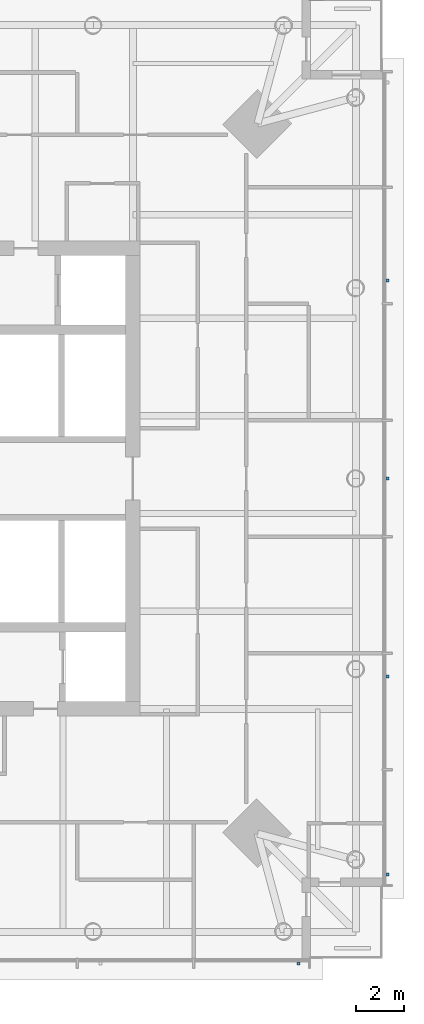
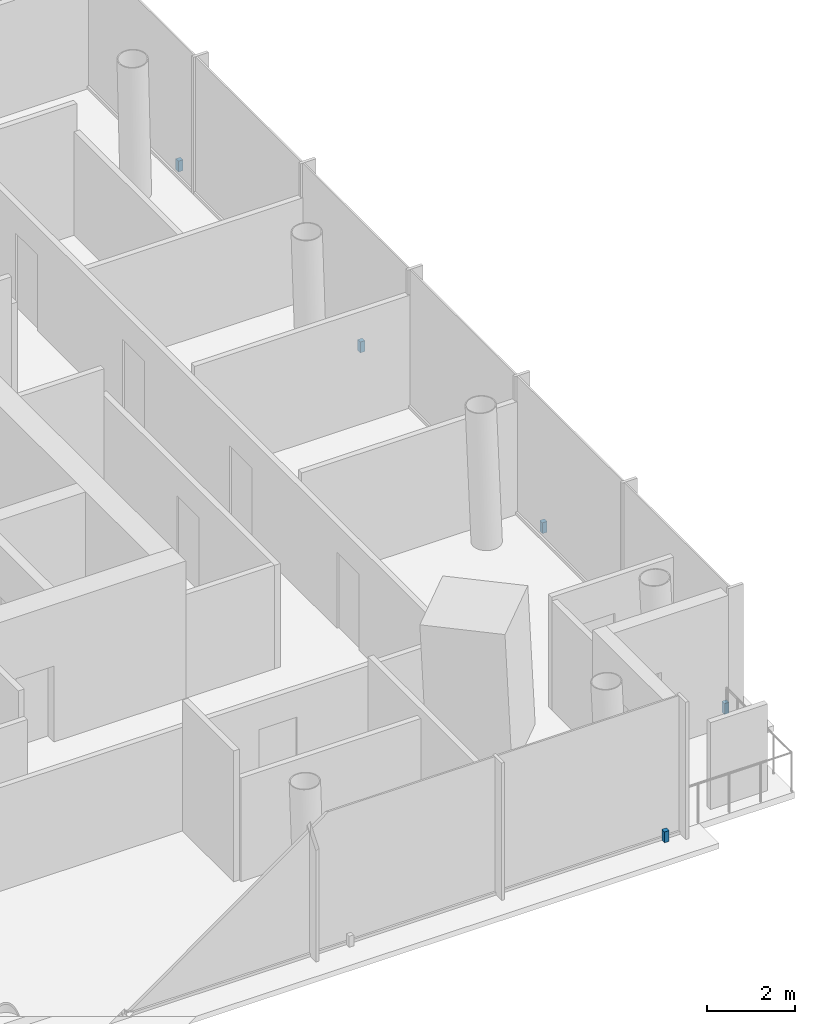
# One storey, part 8 of 10: 5 discrete accessories.
"""IFC4 building model written with IfcOpenShell, lengths in metres."""

from ifc_helpers import new_model, si_unit, direction, frame, origin, origin_2d, place, context, subcontext, project, spatial, rectangle, extrude, material, type_object, element, save


model = new_model("IFC4")

# Units and contexts
model_context = context("Model", 3, precision=1e-05, world=origin(), true_north=direction((0.0, 1.0)))
body_context = subcontext(model_context, "Body", "Model", "MODEL_VIEW")
ifc_project = project(units=[si_unit("LENGTHUNIT", "METRE"), si_unit("AREAUNIT", "SQUARE_METRE"), si_unit("VOLUMEUNIT", "CUBIC_METRE"), si_unit("PLANEANGLEUNIT", "RADIAN"), si_unit("MASSUNIT", "GRAM", prefix="KILO")], contexts=[model_context])

# Site, building, storey
site_placement = place(None, origin())
site = spatial("IfcSite", under=ifc_project, at=site_placement, CompositionType="ELEMENT")
building_placement = place(site_placement, origin())
building = spatial("IfcBuilding", under=site, at=building_placement, Name="Ostroluk Exchange", CompositionType="ELEMENT")
storey_placement = place(building_placement, frame((0.0, 0.0, 180.60009765625)))
storey = spatial("IfcBuildingStorey", under=building, at=storey_placement, Name="L46", CompositionType="ELEMENT", Elevation=180.60009765625)

# Discrete accessories
ifc_material = material(Name="Stainless steel", Category="steel")
discrete_accessory_type = type_object("IfcDiscreteAccessoryType", Name="Fall-arrest anchor PN-EN 795 type C", PredefinedType="USERDEFINED", material=ifc_material)
for number, where, z_axis, x_axis, name in (
    (1, (61.5, 25.7900390625, 0.0), (0.0, 0.0, 1.0), (1.0, 0.0, 0.0), "Fall-arrest anchor L46 south 5"),
    (2, (65.2099609375, 29.5, 0.0), (0.0, 0.0, 1.0), (1.0, 0.0, 0.0), "Fall-arrest anchor L46 east 1"),
    (3, (65.2099609375, 37.75, 0.0), (0.0, 0.0, 1.0), (1.0, 0.0, 0.0), "Fall-arrest anchor L46 east 2"),
    (4, (65.2099609375, 46.0, 0.0), (0.0, 0.0, 1.0), (1.0, 0.0, 0.0), "Fall-arrest anchor L46 east 3"),
    (5, (65.2099609375, 54.25, 0.0), (0.0, 0.0, 1.0), (1.0, 0.0, 0.0), "Fall-arrest anchor L46 east 4"),
):
    element("IfcDiscreteAccessory", number, at=place(storey_placement, frame(where, z_axis=z_axis, x_axis=x_axis)), inside=storey, type_object=discrete_accessory_type, Name=name, ObjectType="FALL ARREST ANCHOR", PredefinedType="USERDEFINED", context=body_context, shape_type="SweptSolid", body=[
        extrude(rectangle(XDim=0.1201171875, YDim=0.1201171875, at=origin_2d()), origin(), (0.0, 0.0, 1.0), 0.300048828125),
    ])

save(model, "model.ifc")
